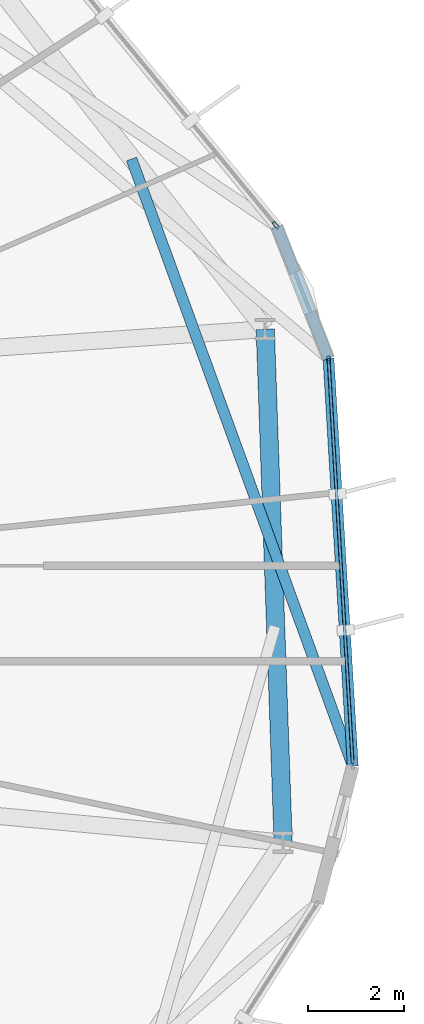
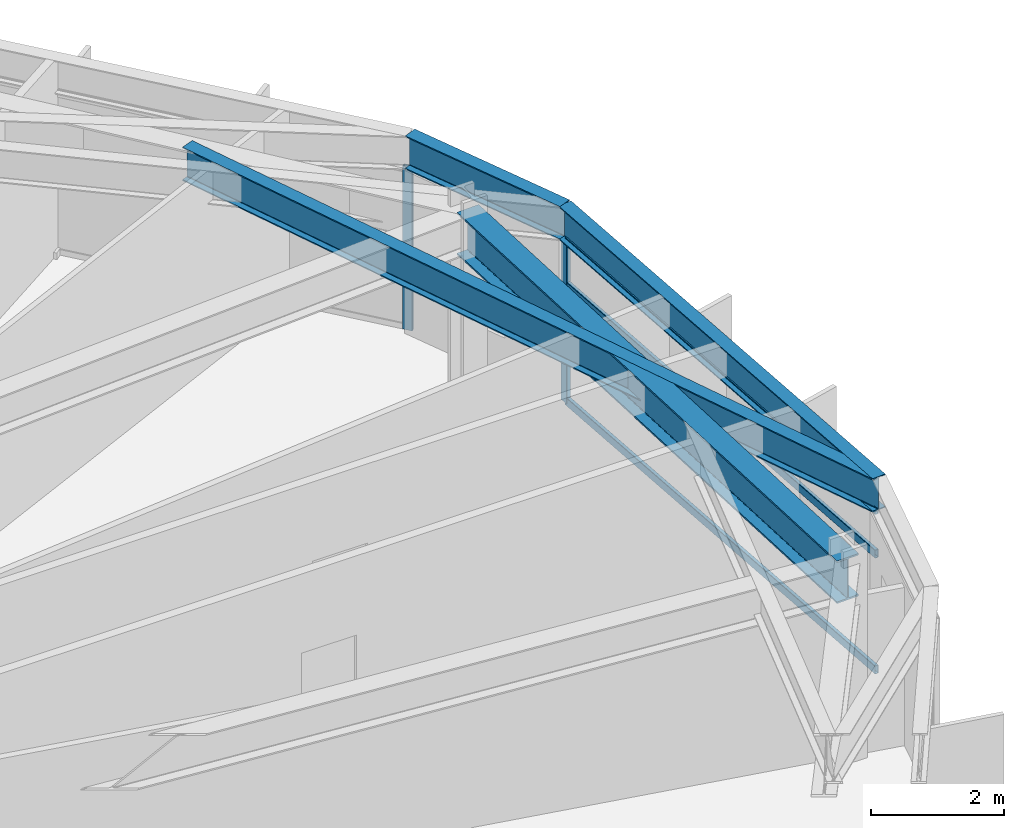
# One storey, part 11 of 22: 5 members, 4 beams, 2 elements without a shape of their own.
"""IFC4 building model written with IfcOpenShell, lengths in metres."""

from ifc_helpers import new_model, si_unit, direction, frame, origin, origin_2d, place, context, subcontext, project, spatial, hollow_rectangle, i_section, extrude, material, layer, layer_set, material_profile, profile_set, type_object, element, aggregate, save


model = new_model("IFC4")

# Units and contexts
model_context = context("Model", 3, precision=1e-05, world=origin(), true_north=direction((0.0, 1.0)))
body_context = subcontext(model_context, "Body", "Model", "MODEL_VIEW")
ifc_project = project(units=[si_unit("LENGTHUNIT", "METRE"), si_unit("AREAUNIT", "SQUARE_METRE"), si_unit("VOLUMEUNIT", "CUBIC_METRE"), si_unit("PLANEANGLEUNIT", "RADIAN"), si_unit("MASSUNIT", "GRAM", prefix="KILO")], contexts=[model_context])

# Site, building, storey
site_placement = place(None, origin())
site = spatial("IfcSite", under=ifc_project, at=site_placement, CompositionType="ELEMENT")
building_placement = place(site_placement, origin())
building = spatial("IfcBuilding", under=site, at=building_placement, Name="Soratama Intermodal Tower", CompositionType="ELEMENT")
storey_placement = place(building_placement, frame((0.0, 0.0, 110.800048828125)))
storey = spatial("IfcBuildingStorey", under=building, at=storey_placement, Name="L26", CompositionType="ELEMENT", Elevation=110.800048828125)

# Beams
ifc_material_1 = material(Name="Structural steel ASTM A992 Grade 50", Category="steel")
ifc_material_profile_1 = material_profile(ifc_material_1, i_section(OverallWidth=0.382080078125, OverallDepth=0.779052734375, WebThickness=0.01806640625, FlangeThickness=0.030029296875, FilletRadius=0.01806640625, at=origin_2d()), Name="W30X191")
ifc_profile_set_1 = profile_set([ifc_material_profile_1], Name="Structural steel ASTM A992 Grade 50")
beam_type_1 = type_object("IfcBeamType", Name="BM-RING-W30X191", PredefinedType="BEAM", material=ifc_profile_set_1)
beam_1_placement = place(storey_placement, frame((61.72607421875, 20.2041015625, 3.21044921875), z_axis=(-0.034872799059, 0.999391758964, 0.0), x_axis=(-0.999391758964, -0.034872799059, 0.0)))
element("IfcBeam", 1, at=beam_1_placement, inside=storey, type_object=beam_type_1, Name="BM-L26-RING-10", PredefinedType="BEAM", context=body_context, shape_type="SweptSolid", body=[
    extrude(i_section(OverallWidth=0.382080078125, OverallDepth=0.779052734375, WebThickness=0.01806640625, FlangeThickness=0.030029296875, FilletRadius=0.01806640625, at=origin_2d()), origin(), (0.0, 0.0, 1.0), 10.75341796875),
])
ifc_material_2 = material(Name="Structural steel ASTM A992 Grade 50", Category="steel")
ifc_material_profile_2 = material_profile(ifc_material_2, i_section(OverallWidth=0.22900390625, OverallDepth=0.612060546875, WebThickness=0.011962890625, FlangeThickness=0.01953125, FilletRadius=0.012939453125, at=origin_2d()), Name="W24X84")
ifc_profile_set_2 = profile_set([ifc_material_profile_2], Name="Structural steel ASTM A992 Grade 50")
beam_type_2 = type_object("IfcBeamType", Name="BM-SPN-W24X84", PredefinedType="SPANDREL", material=ifc_profile_set_2)
beam_2_placement = place(storey_placement, frame((63.18505859375, 21.802001953125, 3.2939453125), z_axis=(-0.059627218134, 0.9982207145, 0.0), x_axis=(-0.9982207145, -0.059627218134, 0.0)))
element("IfcBeam", 2, at=beam_2_placement, inside=storey, type_object=beam_type_2, Name="BS-L26-F10", PredefinedType="SPANDREL", context=body_context, shape_type="SweptSolid", body=[
    extrude(i_section(OverallWidth=0.22900390625, OverallDepth=0.612060546875, WebThickness=0.011962890625, FlangeThickness=0.01953125, FilletRadius=0.012939453125, at=origin_2d()), origin(), (0.0, 0.0, 1.0), 8.55322265625),
])
beam_3_placement = place(storey_placement, frame((62.675048828125, 30.340087890625, 3.2939453125), z_axis=(-0.365053964022, 0.930986360454, 0.0), x_axis=(-0.930986360454, -0.365053964022, 0.0)))
element("IfcBeam", 3, at=beam_3_placement, inside=storey, type_object=beam_type_2, Name="BS-L26-CRN10", PredefinedType="SPANDREL", context=body_context, shape_type="SweptSolid", body=[
    extrude(i_section(OverallWidth=0.22900390625, OverallDepth=0.612060546875, WebThickness=0.011962890625, FlangeThickness=0.01953125, FilletRadius=0.012939453125, at=origin_2d()), origin(), (0.0, 0.0, 1.0), 2.966796875),
])
ifc_material_3 = material(Name="Structural steel ASTM A992 Grade 50", Category="steel")
ifc_material_profile_3 = material_profile(ifc_material_3, i_section(OverallWidth=0.22900390625, OverallDepth=0.612060546875, WebThickness=0.011962890625, FlangeThickness=0.01953125, FilletRadius=0.012939453125, at=origin_2d()), Name="W24X84")
ifc_profile_set_3 = profile_set([ifc_material_profile_3], Name="Structural steel ASTM A992 Grade 50")
beam_type_3 = type_object("IfcBeamType", Name="BM-TIE-W24X84", PredefinedType="BEAM", material=ifc_profile_set_3)
beam_4_placement = place(storey_placement, frame((58.552001953125, 34.512939453125, 3.2939453125), z_axis=(0.342454389624, -0.939534454412, 0.0), x_axis=(0.939534454412, 0.342454389624, 0.0)))
element("IfcBeam", 4, at=beam_4_placement, inside=storey, type_object=beam_type_3, Name="BM-L26-TIE0-10", PredefinedType="BEAM", context=body_context, shape_type="SweptSolid", body=[
    extrude(i_section(OverallWidth=0.22900390625, OverallDepth=0.612060546875, WebThickness=0.011962890625, FlangeThickness=0.01953125, FilletRadius=0.012939453125, at=origin_2d()), origin(), (0.0, 0.0, 1.0), 13.529052734375),
])

# Curtain wall, member
ifc_material_4 = material(Name="Double-glazed aluminium curtain wall", Category="aluminium")
ifc_layer = layer(ifc_material_4, 0.159912109375)
ifc_layer_set = layer_set([ifc_layer], Name="Double-glazed aluminium curtain wall")
curtain_wall_type = type_object("IfcCurtainWallType", Name="CW-SYS-3", PredefinedType="NOTDEFINED", material=ifc_layer_set)
curtain_wall_1_placement = place(storey_placement, origin())
curtain_wall_1 = element("IfcCurtainWall", 5, at=curtain_wall_1_placement, inside=storey, type_object=curtain_wall_type, Name="L26 Faceted Curtain Wall F01", PredefinedType="NOTDEFINED")
ifc_material_5 = material(Name="Anodised aluminium AA 6063-T6", Category="aluminium")
ifc_material_profile_4 = material_profile(ifc_material_5, hollow_rectangle(XDim=0.070068359375, YDim=0.159912109375, WallThickness=0.0048828125, InnerFilletRadius=0.0048828125, OuterFilletRadius=0.010009765625, at=origin_2d()), Name="CWM160X70X5")
ifc_profile_set_4 = profile_set([ifc_material_profile_4], Name="Anodised aluminium AA 6063-T6")
member_type_1 = type_object("IfcMemberType", Name="MT-CWM-3", PredefinedType="MULLION", material=ifc_profile_set_4)
member_1_placement = place(storey_placement, frame((61.572509765625, 33.12548828125, 0.0), z_axis=(0.0, 0.0, 1.0), x_axis=(-0.77251342291, -0.634998434191, 0.0)))
member_1 = element("IfcMember", 6, at=member_1_placement, type_object=member_type_1, Name="CW-3 mullion 1", PredefinedType="MULLION", context=body_context, shape_type="SweptSolid", body=[
    extrude(hollow_rectangle(XDim=0.070068359375, YDim=0.159912109375, WallThickness=0.0048828125, InnerFilletRadius=0.0048828125, OuterFilletRadius=0.010009765625, at=origin_2d()), origin(), (0.0, 0.0, 1.0), 2.97900390625),
])
aggregate(curtain_wall_1, [member_1])

# Curtain wall, members
curtain_wall_2_placement = place(storey_placement, origin())
curtain_wall_2 = element("IfcCurtainWall", 7, at=curtain_wall_2_placement, inside=storey, type_object=curtain_wall_type, Name="L26 Faceted Curtain Wall F10", PredefinedType="NOTDEFINED")
member_2_placement = place(storey_placement, frame((62.6767578125, 30.310546875, 0.0), z_axis=(0.0, 0.0, 1.0), x_axis=(-0.998218658473, -0.059661628176, 0.0)))
member_2 = element("IfcMember", 8, at=member_2_placement, type_object=member_type_1, Name="CW-3 mullion 2", PredefinedType="MULLION", context=body_context, shape_type="SweptSolid", body=[
    extrude(hollow_rectangle(XDim=0.070068359375, YDim=0.159912109375, WallThickness=0.0048828125, InnerFilletRadius=0.0048828125, OuterFilletRadius=0.010009765625, at=origin_2d()), origin(), (0.0, 0.0, 1.0), 2.97900390625),
])
ifc_material_6 = material(Name="Anodised aluminium AA 6063-T6", Category="aluminium")
ifc_material_profile_5 = material_profile(ifc_material_6, hollow_rectangle(XDim=0.06494140625, YDim=0.14990234375, WallThickness=0.0048828125, InnerFilletRadius=0.0048828125, OuterFilletRadius=0.010009765625, at=origin_2d()), Name="CWT150X65X5")
ifc_profile_set_5 = profile_set([ifc_material_profile_5], Name="Anodised aluminium AA 6063-T6")
member_type_2 = type_object("IfcMemberType", Name="TT-CWT-1", PredefinedType="USERDEFINED", material=ifc_profile_set_5)
member_3_placement = place(storey_placement, frame((63.181640625, 21.8623046875, 0.030029296875), z_axis=(-0.059665559896, 0.998218423474, 0.0), x_axis=(-0.998218423474, -0.059665559896, 0.0)))
member_3 = element("IfcMember", 9, at=member_3_placement, type_object=member_type_2, Name="CW-3 transom 1.1", ObjectType="TRANSOM", PredefinedType="USERDEFINED", context=body_context, shape_type="SweptSolid", body=[
    extrude(hollow_rectangle(XDim=0.06494140625, YDim=0.14990234375, WallThickness=0.0048828125, InnerFilletRadius=0.0048828125, OuterFilletRadius=0.010009765625, at=origin_2d()), origin(), (0.0, 0.0, 1.0), 8.433349609375),
])
member_4_placement = place(storey_placement, frame((63.181640625, 21.8623046875, 2.14990234375), z_axis=(-0.059665559896, 0.998218423474, 0.0), x_axis=(-0.998218423474, -0.059665559896, 0.0)))
member_4 = element("IfcMember", 10, at=member_4_placement, type_object=member_type_2, Name="CW-3 transom 1.2", ObjectType="TRANSOM", PredefinedType="USERDEFINED", context=body_context, shape_type="SweptSolid", body=[
    extrude(hollow_rectangle(XDim=0.06494140625, YDim=0.14990234375, WallThickness=0.0048828125, InnerFilletRadius=0.0048828125, OuterFilletRadius=0.010009765625, at=origin_2d()), origin(), (0.0, 0.0, 1.0), 8.433349609375),
])
member_5_placement = place(storey_placement, frame((63.181640625, 21.8623046875, 2.948974609375), z_axis=(-0.059665559896, 0.998218423474, 0.0), x_axis=(-0.998218423474, -0.059665559896, 0.0)))
member_5 = element("IfcMember", 11, at=member_5_placement, type_object=member_type_2, Name="CW-3 transom 1.3", ObjectType="TRANSOM", PredefinedType="USERDEFINED", context=body_context, shape_type="SweptSolid", body=[
    extrude(hollow_rectangle(XDim=0.06494140625, YDim=0.14990234375, WallThickness=0.0048828125, InnerFilletRadius=0.0048828125, OuterFilletRadius=0.010009765625, at=origin_2d()), origin(), (0.0, 0.0, 1.0), 8.433349609375),
])
aggregate(curtain_wall_2, [member_2, member_3, member_4, member_5])

save(model, "model.ifc")
